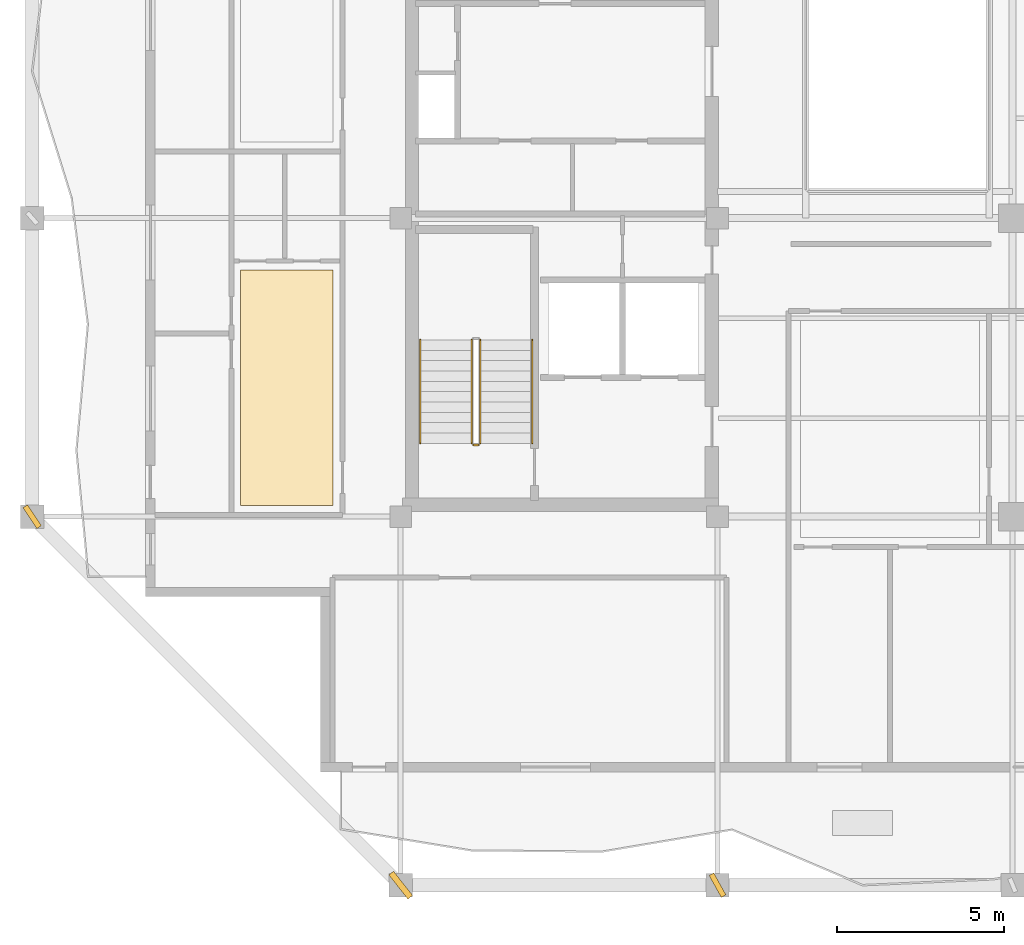
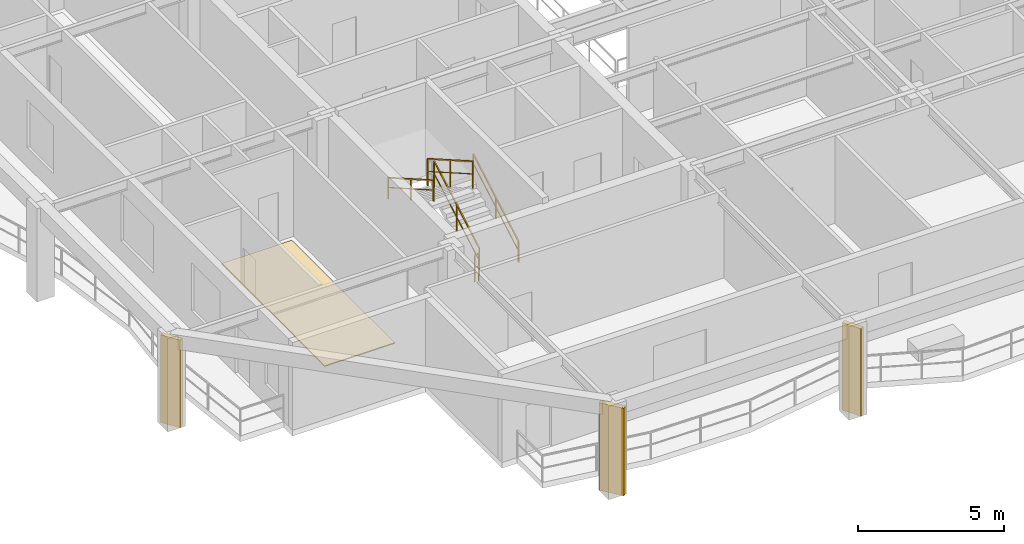
# One storey, part 7 of 12: 5 railings, 3 shading devices, 1 covering.
"""IFC4 building model written with IfcOpenShell, lengths in metres."""

from ifc_helpers import new_model, si_unit, direction, frame, origin, origin_2d, place, context, subcontext, project, spatial, polyline, rectangle, outline, extrude, material, layer, layer_set, type_object, element, save


model = new_model("IFC4")

# Units and contexts
model_context = context("Model", 3, precision=1e-05, world=origin(), true_north=direction((0.0, 1.0)))
body_context = subcontext(model_context, "Body", "Model", "MODEL_VIEW")
ifc_project = project(units=[si_unit("LENGTHUNIT", "METRE"), si_unit("AREAUNIT", "SQUARE_METRE"), si_unit("VOLUMEUNIT", "CUBIC_METRE"), si_unit("PLANEANGLEUNIT", "RADIAN"), si_unit("MASSUNIT", "GRAM", prefix="KILO")], contexts=[model_context])

# Site, building, storey
site_placement = place(None, origin())
site = spatial("IfcSite", under=ifc_project, at=site_placement, CompositionType="ELEMENT")
building_placement = place(site_placement, origin())
building = spatial("IfcBuilding", under=site, at=building_placement, Name="Kundavana Baori Tower", CompositionType="ELEMENT")
storey_placement = place(building_placement, frame((0.0, 0.0, 237.5)))
storey = spatial("IfcBuildingStorey", under=building, at=storey_placement, Name="L58", CompositionType="ELEMENT", Elevation=237.5)

# Covering
ifc_material_1 = material(Name="Honed Kota Stone and Terrazzo Flooring", Category="masonry")
ifc_layer = layer(ifc_material_1, 0.0400390625, Name="COV-FLR-TERR-40")
ifc_layer_set = layer_set([ifc_layer], Name="Honed Kota Stone and Terrazzo Flooring")
covering_type = type_object("IfcCoveringType", Name="COV-FLR-TERR-40", PredefinedType="FLOORING", material=ifc_layer_set)
covering_placement = place(storey_placement, origin())
element("IfcCovering", 1, at=covering_placement, inside=storey, type_object=covering_type, Name="L58 Room Finished Stone Flooring 1", PredefinedType="FLOORING", context=body_context, shape_type="SweptSolid", body=[
    extrude(outline(polyline([(10.64990234375, 15.580078125), (13.419921875, 15.580078125), (13.419921875, 22.639892578125), (10.64990234375, 22.639892578125), (10.64990234375, 15.580078125)])), origin(), (0.0, 0.0, 1.0), 0.0400390625),
])

# Railings
ifc_material_2 = material(Name="Architectural Patinated Bronze Metalwork")
railing_type_1 = type_object("IfcRailingType", Name="RL-GRD-1150", PredefinedType="GUARDRAIL", material=ifc_material_2)
railing_1_placement = place(storey_placement, frame((17.840087890625, 17.449951171875, 0.17724609375)))
element("IfcRailing", 2, at=railing_1_placement, inside=storey, type_object=railing_type_1, Name="L58 ST1 stair guard 1", PredefinedType="GUARDRAIL", context=body_context, shape_type="SweptSolid", body=[
    extrude(rectangle(XDim=0.048095703125, YDim=0.048095703125, at=origin_2d()), frame((0.0, 0.0, 1.1259765625), z_axis=(0.0, 0.868095856688, 0.496396599103), x_axis=(-1.0, 0.0, 0.0)), (0.0, 0.0, 1.0), 3.571044921875),
    extrude(rectangle(XDim=0.03125, YDim=0.03125, at=origin_2d()), frame((0.0, 0.0, 0.597900390625), z_axis=(0.0, 0.868095856688, 0.496396599103), x_axis=(-1.0, 0.0, 0.0)), (0.0, 0.0, 1.0), 3.571044921875),
    extrude(rectangle(XDim=0.0419921875, YDim=0.0419921875, at=origin_2d()), origin(), (0.0, 0.0, 1.0), 1.101806640625),
    extrude(rectangle(XDim=0.0419921875, YDim=0.0419921875, at=origin_2d()), frame((0.0, 1.550048828125, 0.88623046875)), (0.0, 0.0, 1.0), 1.101806640625),
    extrude(rectangle(XDim=0.0419921875, YDim=0.0419921875, at=origin_2d()), frame((0.0, 3.10009765625, 1.772705078125)), (0.0, 0.0, 1.0), 1.101806640625),
])
railing_2_placement = place(storey_placement, frame((17.580078125, 20.550048828125, 2.127197265625)))
element("IfcRailing", 3, at=railing_2_placement, inside=storey, type_object=railing_type_1, Name="L58 ST1 stair guard 3", PredefinedType="GUARDRAIL", context=body_context, shape_type="SweptSolid", body=[
    extrude(rectangle(XDim=0.048095703125, YDim=0.048095703125, at=origin_2d()), frame((0.0, 0.0, 1.1259765625), z_axis=(0.0, -0.868095856688, 0.496396599103), x_axis=(1.0, 0.0, 0.0)), (0.0, 0.0, 1.0), 3.571044921875),
    extrude(rectangle(XDim=0.03125, YDim=0.03125, at=origin_2d()), frame((0.0, 0.0, 0.597900390625), z_axis=(0.0, -0.868095856688, 0.496396599103), x_axis=(1.0, 0.0, 0.0)), (0.0, 0.0, 1.0), 3.571044921875),
    extrude(rectangle(XDim=0.0419921875, YDim=0.0419921875, at=origin_2d()), origin(), (0.0, 0.0, 1.0), 1.101806640625),
    extrude(rectangle(XDim=0.0419921875, YDim=0.0419921875, at=origin_2d()), frame((0.0, -1.550048828125, 0.88623046875)), (0.0, 0.0, 1.0), 1.101806640625),
    extrude(rectangle(XDim=0.0419921875, YDim=0.0419921875, at=origin_2d()), frame((0.0, -3.10009765625, 1.772705078125)), (0.0, 0.0, 1.0), 1.101806640625),
])
railing_3_placement = place(storey_placement, frame((17.7900390625, 17.39990234375, 0.0)))
element("IfcRailing", 4, at=railing_3_placement, inside=storey, type_object=railing_type_1, Name="L58 ST1 stair guard 4", PredefinedType="GUARDRAIL", context=body_context, shape_type="SweptSolid", body=[
    extrude(rectangle(XDim=0.048095703125, YDim=0.048095703125, at=origin_2d()), frame((0.0, 0.0, 1.1259765625), z_axis=(-1.0, 0.0, 0.0), x_axis=(0.0, -1.0, 0.0)), (0.0, 0.0, 1.0), 0.16015625),
    extrude(rectangle(XDim=0.03125, YDim=0.03125, at=origin_2d()), frame((0.0, 0.0, 0.597900390625), z_axis=(-1.0, 0.0, 0.0), x_axis=(0.0, -1.0, 0.0)), (0.0, 0.0, 1.0), 0.16015625),
    extrude(rectangle(XDim=0.0419921875, YDim=0.0419921875, at=origin_2d()), origin(), (0.0, 0.0, 1.0), 1.101806640625),
    extrude(rectangle(XDim=0.0419921875, YDim=0.0419921875, at=origin_2d()), frame((-0.16015625, 0.0, 0.0)), (0.0, 0.0, 1.0), 1.101806640625),
])
ifc_material_3 = material(Name="Architectural Patinated Bronze Metalwork")
railing_type_2 = type_object("IfcRailingType", Name="RL-HND-920", PredefinedType="HANDRAIL", material=ifc_material_3)
railing_4_placement = place(storey_placement, frame((19.389892578125, 17.449951171875, 0.17724609375)))
element("IfcRailing", 5, at=railing_4_placement, inside=storey, type_object=railing_type_2, Name="L58 ST1 stair handrail 1", PredefinedType="HANDRAIL", context=body_context, shape_type="SweptSolid", body=[
    extrude(rectangle(XDim=0.048095703125, YDim=0.048095703125, at=origin_2d()), frame((0.0, 0.0, 0.8759765625), z_axis=(0.0, 0.868095856688, 0.496396599103), x_axis=(-1.0, 0.0, 0.0)), (0.0, 0.0, 1.0), 3.571044921875),
    extrude(rectangle(XDim=0.03125, YDim=0.03125, at=origin_2d()), frame((0.0, 0.0, 0.468017578125), z_axis=(0.0, 0.868095856688, 0.496396599103), x_axis=(-1.0, 0.0, 0.0)), (0.0, 0.0, 1.0), 3.571044921875),
    extrude(rectangle(XDim=0.0419921875, YDim=0.0419921875, at=origin_2d()), origin(), (0.0, 0.0, 1.0), 0.851806640625),
    extrude(rectangle(XDim=0.0419921875, YDim=0.0419921875, at=origin_2d()), frame((0.0, 1.550048828125, 0.88623046875)), (0.0, 0.0, 1.0), 0.851806640625),
    extrude(rectangle(XDim=0.0419921875, YDim=0.0419921875, at=origin_2d()), frame((0.0, 3.10009765625, 1.772705078125)), (0.0, 0.0, 1.0), 0.851806640625),
])
railing_5_placement = place(storey_placement, frame((16.030029296875, 20.550048828125, 2.127197265625)))
element("IfcRailing", 6, at=railing_5_placement, inside=storey, type_object=railing_type_2, Name="L58 ST1 stair handrail 2", PredefinedType="HANDRAIL", context=body_context, shape_type="SweptSolid", body=[
    extrude(rectangle(XDim=0.048095703125, YDim=0.048095703125, at=origin_2d()), frame((0.0, 0.0, 0.8759765625), z_axis=(0.0, -0.868095856688, 0.496396599103), x_axis=(1.0, 0.0, 0.0)), (0.0, 0.0, 1.0), 3.571044921875),
    extrude(rectangle(XDim=0.03125, YDim=0.03125, at=origin_2d()), frame((0.0, 0.0, 0.468017578125), z_axis=(0.0, -0.868095856688, 0.496396599103), x_axis=(1.0, 0.0, 0.0)), (0.0, 0.0, 1.0), 3.571044921875),
    extrude(rectangle(XDim=0.0419921875, YDim=0.0419921875, at=origin_2d()), origin(), (0.0, 0.0, 1.0), 0.851806640625),
    extrude(rectangle(XDim=0.0419921875, YDim=0.0419921875, at=origin_2d()), frame((0.0, -1.550048828125, 0.88623046875)), (0.0, 0.0, 1.0), 0.851806640625),
    extrude(rectangle(XDim=0.0419921875, YDim=0.0419921875, at=origin_2d()), frame((0.0, -3.10009765625, 1.772705078125)), (0.0, 0.0, 1.0), 0.851806640625),
])

# Shading devices
ifc_material_4 = material(Name="Red-Buff Dholpur Sandstone Cladding on Concrete C40/50", Category="masonry")
shading_device_type_1 = type_object("IfcShadingDeviceType", Name="SHD-FIN-750", PredefinedType="JALOUSIE", material=ifc_material_4)
for number, where, z_axis, x_axis, name in (
    (7, (24.949951171875, 4.199951171875, 0.0), (0.0, 0.0, 1.0), (0.874957954937, 0.484198902407, 0.0), "L58 Sweeping Dholpur Sandstone Facade Fin 2"),
    (8, (4.39990234375, 15.25, 0.0), (0.0, 0.0, 1.0), (0.832341273841, 0.554263478737, 0.0), "L58 Sweeping Dholpur Sandstone Facade Fin 5"),
):
    element("IfcShadingDevice", number, at=place(storey_placement, frame(where, z_axis=z_axis, x_axis=x_axis)), inside=storey, type_object=shading_device_type_1, Name=name, PredefinedType="JALOUSIE", context=body_context, shape_type="SweptSolid", body=[
        extrude(rectangle(XDim=0.159912109375, YDim=0.75, at=origin_2d()), origin(), (0.0, 0.0, 1.0), 3.659912109375),
    ])
ifc_material_5 = material(Name="Red-Buff Dholpur Sandstone Cladding on Concrete C40/50", Category="masonry")
shading_device_type_2 = type_object("IfcShadingDeviceType", Name="SHD-FIN-920", PredefinedType="JALOUSIE", material=ifc_material_5)
shading_device_placement = place(storey_placement, frame((15.449951171875, 4.199951171875, 0.0), z_axis=(0.0, 0.0, 1.0), x_axis=(0.784018582101, 0.620737354217, 0.0)))
element("IfcShadingDevice", 9, at=shading_device_placement, inside=storey, type_object=shading_device_type_2, Name="L58 Sweeping Dholpur Sandstone Facade Fin 1", PredefinedType="JALOUSIE", context=body_context, shape_type="SweptSolid", body=[
    extrude(rectangle(XDim=0.179931640625, YDim=0.919921875, at=origin_2d()), origin(), (0.0, 0.0, 1.0), 3.659912109375),
])

save(model, "model.ifc")
